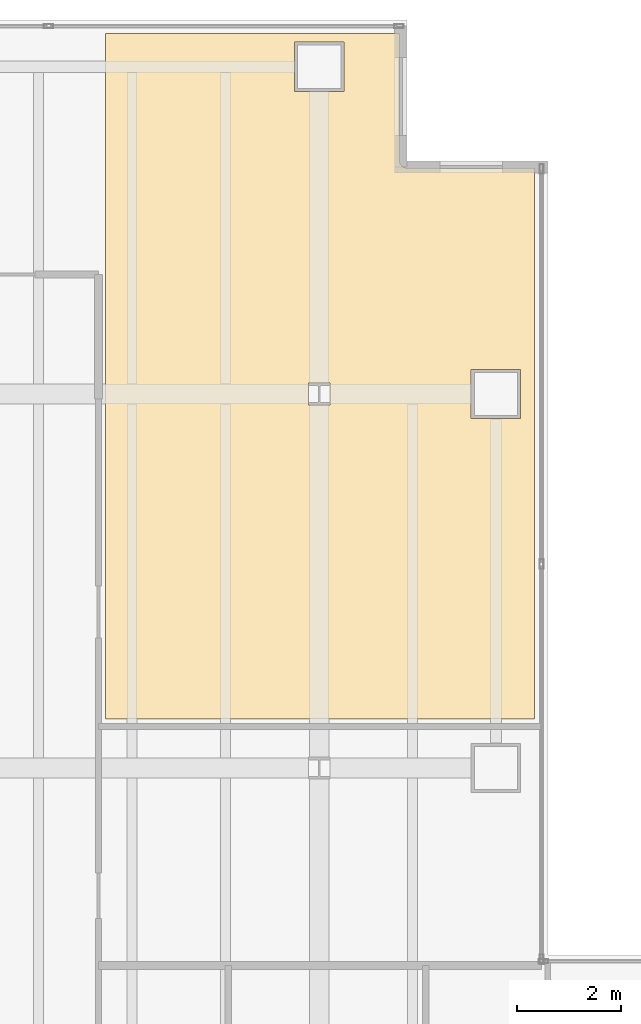
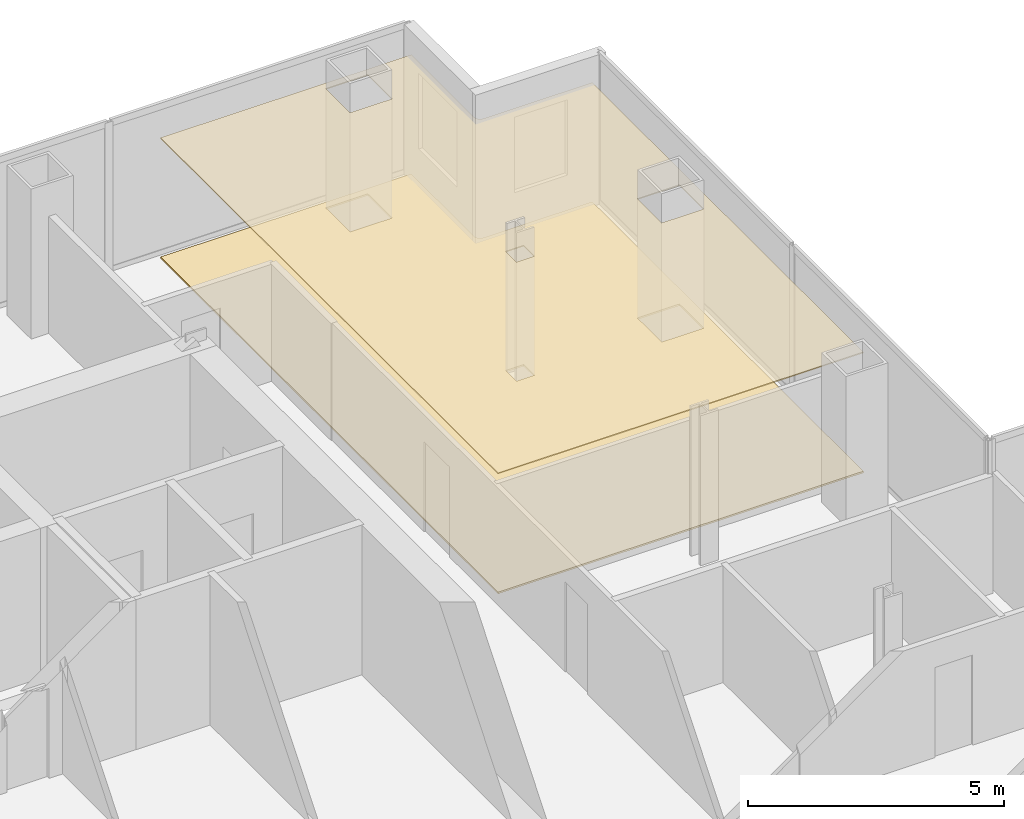
# One storey, part 24 of 24: 2 coverings.
"""IFC4 building model written with IfcOpenShell, lengths in metres."""

import ifcopenshell
import ifcopenshell.guid

model = None  # the IFC model being written
_history = None  # IfcOwnerHistory: only IFC2X3 demands one
_inside = {}  # id of a spatial element -> (the spatial element, [elements in it])
_under = {}  # id of a project, library or spatial element -> (it, [spatial elements below it])
_declared = {}  # id of a project -> (the project, [libraries it declares])
_typed = {}  # id of a type object -> (the type object, [elements of that type])
_made_of = {}  # id of a material, layer set ... -> (it, [elements and type objects made of it])


def new_model(schema):
    """Start an empty IFC model of exactly this schema.

    Asked for "IFC4X3", IfcOpenShell would pick the latest addendum, in which some entities
    have other attributes; the version numbers below select the first issue.
    IFC2X3 requires an IfcOwnerHistory on every rooted entity: one is made here for all.
    """
    global model, _history
    if schema == "IFC4X3":
        model = ifcopenshell.file(schema_version=(4, 3, 0, 0))
    else:
        model = ifcopenshell.file(schema=schema)
    _inside.clear()
    _under.clear()
    _declared.clear()
    _typed.clear()
    _made_of.clear()
    _history = None
    if model.schema == "IFC2X3":
        org = make("IfcOrganization", Name="unknown")
        user = make(
            "IfcPersonAndOrganization",
            ThePerson=make("IfcPerson", FamilyName="unknown"),
            TheOrganization=org,
        )
        app = make(
            "IfcApplication",
            ApplicationDeveloper=org,
            Version="unknown",
            ApplicationFullName="unknown",
            ApplicationIdentifier="unknown",
        )
        _history = make(
            "IfcOwnerHistory",
            OwningUser=user,
            OwningApplication=app,
            ChangeAction="ADDED",
            CreationDate=0,
        )
    return model


def make(cls, **values):
    """One entity of the class cls with the attributes given. An attribute that is None is left unset."""
    return model.create_entity(
        cls, **{name: value for name, value in values.items() if value is not None}
    )


def rooted(cls, **values):
    """An entity with a GlobalId (a new one), such as an element, a storey or a relation."""
    return make(cls, GlobalId=ifcopenshell.guid.new(), OwnerHistory=_history, **values)


def si_unit(unit_type, name, prefix=None):
    """IfcSIUnit, for example si_unit("LENGTHUNIT", "METRE", prefix="MILLI")."""
    return make("IfcSIUnit", UnitType=unit_type, Prefix=prefix, Name=name)


def assignment(units):
    """IfcUnitAssignment: the units of a project."""
    return None if units is None else make("IfcUnitAssignment", Units=units)


def point(xyz):
    """IfcCartesianPoint."""
    return None if xyz is None else make("IfcCartesianPoint", Coordinates=xyz)


def direction(xyz):
    """IfcDirection."""
    return None if xyz is None else make("IfcDirection", DirectionRatios=xyz)


def frame(location, z_axis=None, x_axis=None):
    """IfcAxis2Placement3D, a coordinate frame: its origin and axes. An axis left out is left unset."""
    return make(
        "IfcAxis2Placement3D",
        Location=point(location),
        Axis=direction(z_axis),
        RefDirection=direction(x_axis),
    )


def origin():
    """The frame at (0, 0, 0) with its axes left unset."""
    return frame((0.0, 0.0, 0.0))


def place(relative_to, where):
    """IfcLocalPlacement: puts the frame where relative to a parent placement (None: the world)."""
    return make(
        "IfcLocalPlacement", PlacementRelTo=relative_to, RelativePlacement=where
    )


def context(
    kind, dimensions, precision=None, world=None, true_north=None, identifier=None
):
    """IfcGeometricRepresentationContext, for example the 3D "Model" context."""
    return make(
        "IfcGeometricRepresentationContext",
        ContextIdentifier=identifier,
        ContextType=kind,
        CoordinateSpaceDimension=dimensions,
        Precision=precision,
        WorldCoordinateSystem=world,
        TrueNorth=true_north,
    )


def subcontext(parent, identifier, kind, view, scale=None):
    """IfcGeometricRepresentationSubContext, for example "Body" below "Model"."""
    return make(
        "IfcGeometricRepresentationSubContext",
        ContextIdentifier=identifier,
        ContextType=kind,
        ParentContext=parent,
        TargetScale=scale,
        TargetView=view,
    )


def project(units=None, contexts=None):
    """IfcProject with its units and contexts."""
    return rooted(
        "IfcProject",
        Name="project",
        RepresentationContexts=contexts,
        UnitsInContext=assignment(units),
    )


def spatial(cls, under=None, at=None, **own):
    """A site, building, storey or space (cls), placed at a placement, below another one or the project."""
    s = rooted(cls, ObjectPlacement=at, **own)
    if under is not None:
        _under.setdefault(under.id(), (under, []))[1].append(s)
    return s


def polyline(points):
    """IfcPolyline through the points."""
    return make("IfcPolyline", Points=[point(p) for p in points])


def outline(outer, holes=None, kind="AREA"):
    """IfcArbitraryClosedProfileDef: a profile drawn as a closed curve; with holes, ...WithVoids."""
    if holes is None:
        return make("IfcArbitraryClosedProfileDef", ProfileType=kind, OuterCurve=outer)
    return make(
        "IfcArbitraryProfileDefWithVoids",
        ProfileType=kind,
        OuterCurve=outer,
        InnerCurves=holes,
    )


def extrude(swept, where, along, depth):
    """IfcExtrudedAreaSolid: the profile swept, set in the frame where, extruded along a direction by depth."""
    return make(
        "IfcExtrudedAreaSolid",
        SweptArea=swept,
        Position=where,
        ExtrudedDirection=direction(along),
        Depth=depth,
    )


def shape(context_of_items, identifier, shape_type, items):
    """IfcShapeRepresentation: the items that make up one representation, for example the "Body"."""
    return make(
        "IfcShapeRepresentation",
        ContextOfItems=context_of_items,
        RepresentationIdentifier=identifier,
        RepresentationType=shape_type,
        Items=items,
    )


def material(Name=None, Category=None):
    """IfcMaterial."""
    return make("IfcMaterial", Name=Name, Category=Category)


def layer(
    of_material, thickness, ventilated=None, Name=None, Category=None, Priority=None
):
    """IfcMaterialLayer: one layer of a wall or slab, of a material (None: an air gap)."""
    return make(
        "IfcMaterialLayer",
        Material=of_material,
        LayerThickness=thickness,
        IsVentilated=ventilated,
        Name=Name,
        Category=Category,
        Priority=Priority,
    )


def layer_set(layers, Name=None):
    """IfcMaterialLayerSet."""
    return make("IfcMaterialLayerSet", MaterialLayers=layers, LayerSetName=Name)


def made_of(thing, what):
    """Note that an element or type object is made of a material, layer set ...; save() writes the relation."""
    if what is not None:
        _made_of.setdefault(what.id(), (what, []))[1].append(thing)
    return thing


def type_object(cls, material=None, **own):
    """A type object (cls), such as IfcWallType, which elements share."""
    return made_of(rooted(cls, **own), material)


def element(
    cls,
    number,
    at=None,
    inside=None,
    cuts=None,
    type_object=None,
    material=None,
    context=None,
    identifier="Body",
    shape_type=None,
    held_by="IfcProductDefinitionShape",
    body=None,
    shapes=None,
    **own,
):
    """One element of the class cls, such as IfcWall. Its Tag is "e" and its number.

    at: its placement. inside: the storey or other place that contains it. cuts: it is an
    opening in that element (IfcRelVoidsElement). A single representation is given by context,
    identifier, shape_type and body (its items); several are given by shapes. held_by: the class
    of the entity that holds the representations. save() writes the other relations.
    """
    e = rooted(cls, Tag="e%d" % number, ObjectPlacement=at, **own)
    if body is not None:
        shapes = [shape(context, identifier, shape_type, body)]
    if shapes is not None:
        e.Representation = make(held_by, Representations=shapes)
    if inside is not None:
        _inside.setdefault(inside.id(), (inside, []))[1].append(e)
    if cuts is not None:
        rooted(
            "IfcRelVoidsElement", RelatingBuildingElement=cuts, RelatedOpeningElement=e
        )
    if type_object is not None:
        _typed.setdefault(type_object.id(), (type_object, []))[1].append(e)
    return made_of(e, material)


def aggregate(whole, parts):
    """IfcRelAggregates: a whole, such as a stair, and the parts it consists of."""
    return rooted("IfcRelAggregates", RelatingObject=whole, RelatedObjects=parts)


def save(model, path):
    """Write the relations noted so far, then the file.

    IfcRelAggregates (storeys below a building ...), IfcRelContainedInSpatialStructure (elements
    in a storey), IfcRelDefinesByType, IfcRelAssociatesMaterial and IfcRelDeclares: one each for
    every whole, place, type object, material and project.
    """
    for whole, parts in _under.values():
        aggregate(whole, parts)
    for where, things in _inside.values():
        rooted(
            "IfcRelContainedInSpatialStructure",
            RelatedElements=things,
            RelatingStructure=where,
        )
    for kind, things in _typed.values():
        rooted("IfcRelDefinesByType", RelatedObjects=things, RelatingType=kind)
    for what, things in _made_of.values():
        rooted("IfcRelAssociatesMaterial", RelatedObjects=things, RelatingMaterial=what)
    for by, libraries in _declared.values():
        rooted("IfcRelDeclares", RelatingContext=by, RelatedDefinitions=libraries)
    model.write(path)


model = new_model("IFC4")

# Units and contexts
model_context = context("Model", 3, precision=1e-05, world=origin(), true_north=direction((0.0, 1.0)))
body_context = subcontext(model_context, "Body", "Model", "MODEL_VIEW")
ifc_project = project(units=[si_unit("LENGTHUNIT", "METRE"), si_unit("AREAUNIT", "SQUARE_METRE"), si_unit("VOLUMEUNIT", "CUBIC_METRE"), si_unit("PLANEANGLEUNIT", "RADIAN"), si_unit("MASSUNIT", "GRAM", prefix="KILO")], contexts=[model_context])

# Site, building, storey
site_placement = place(None, origin())
site = spatial("IfcSite", under=ifc_project, at=site_placement, CompositionType="ELEMENT")
building_placement = place(site_placement, origin())
building = spatial("IfcBuilding", under=site, at=building_placement, Name="Cobrela Telecom Tower", CompositionType="ELEMENT")
storey_placement = place(building_placement, frame((0.0, 0.0, 106.050048828125)))
storey = spatial("IfcBuildingStorey", under=building, at=storey_placement, Name="L26", CompositionType="ELEMENT", Elevation=106.050048828125)

# Coverings
ifc_material_1 = material(Name="Mineral Fibre Acoustic Ceiling Tile")
ifc_layer_1 = layer(ifc_material_1, 0.02490234375)
ifc_layer_set_1 = layer_set([ifc_layer_1], Name="Mineral Fibre Acoustic Ceiling Tile")
covering_type_1 = type_object("IfcCoveringType", Name="COV-CEIL-ACT", PredefinedType="CEILING", material=ifc_layer_set_1)
covering_1_placement = place(storey_placement, frame((0.0, 0.0, 2.85986328125)))
element("IfcCovering", 1, at=covering_1_placement, inside=storey, type_object=covering_type_1, Name="L26 Staff Fitness Gym 3 Suspended Acoustic Ceiling", PredefinedType="CEILING", context=body_context, shape_type="SweptSolid", body=[
    extrude(outline(polyline([(23.14990234375, 42.93994140625), (23.14990234375, 40.489013671875), (23.150634765625, 40.476318359375), (23.152587890625, 40.462646484375), (23.156005859375, 40.449462890625), (23.16064453125, 40.436279296875), (23.16650390625, 40.424072265625), (23.173583984375, 40.412109375), (23.181640625, 40.401123046875), (23.19091796875, 40.39111328125), (23.201171875, 40.381591796875), (23.212158203125, 40.37353515625), (23.22412109375, 40.366455078125), (23.236328125, 40.360595703125), (23.24951171875, 40.35595703125), (23.2626953125, 40.3525390625), (23.2763671875, 40.3505859375), (23.2890625, 40.35009765625), (25.739990234375, 40.35009765625), (25.739990234375, 29.739990234375), (17.489990234375, 29.739990234375), (17.489990234375, 42.93994140625), (23.14990234375, 42.93994140625)]), holes=[polyline([(21.804443359375, 35.7880859375), (21.804443359375, 36.2119140625), (21.3955078125, 36.2119140625), (21.3955078125, 35.7880859375), (21.804443359375, 35.7880859375)]), polyline([(25.47509765625, 35.52490234375), (25.47509765625, 36.47509765625), (24.52490234375, 36.47509765625), (24.52490234375, 35.52490234375), (25.47509765625, 35.52490234375)]), polyline([(22.074951171875, 41.824951171875), (22.074951171875, 42.77490234375), (21.125, 42.77490234375), (21.125, 41.824951171875), (22.074951171875, 41.824951171875)])]), origin(), (0.0, 0.0, 1.0), 0.025146484375),
])
ifc_material_2 = material(Name="Honed Colombian Basalt Stone", Category="masonry")
ifc_layer_2 = layer(ifc_material_2, 0.0400390625)
ifc_layer_set_2 = layer_set([ifc_layer_2], Name="Honed Colombian Basalt Stone")
covering_type_2 = type_object("IfcCoveringType", Name="COV-FLR-STONE", PredefinedType="FLOORING", material=ifc_layer_set_2)
covering_2_placement = place(storey_placement, origin())
element("IfcCovering", 2, at=covering_2_placement, inside=storey, type_object=covering_type_2, Name="L26 Staff Fitness Gym 3 Raised Technical Flooring", PredefinedType="FLOORING", context=body_context, shape_type="SweptSolid", body=[
    extrude(outline(polyline([(23.14990234375, 42.93994140625), (23.14990234375, 40.489013671875), (23.150634765625, 40.476318359375), (23.152587890625, 40.462646484375), (23.156005859375, 40.449462890625), (23.16064453125, 40.436279296875), (23.16650390625, 40.424072265625), (23.173583984375, 40.412109375), (23.181640625, 40.401123046875), (23.19091796875, 40.39111328125), (23.201171875, 40.381591796875), (23.212158203125, 40.37353515625), (23.22412109375, 40.366455078125), (23.236328125, 40.360595703125), (23.24951171875, 40.35595703125), (23.2626953125, 40.3525390625), (23.2763671875, 40.3505859375), (23.2890625, 40.35009765625), (25.739990234375, 40.35009765625), (25.739990234375, 29.739990234375), (17.489990234375, 29.739990234375), (17.489990234375, 42.93994140625), (23.14990234375, 42.93994140625)]), holes=[polyline([(21.804443359375, 35.7880859375), (21.804443359375, 36.2119140625), (21.3955078125, 36.2119140625), (21.3955078125, 35.7880859375), (21.804443359375, 35.7880859375)]), polyline([(25.47509765625, 35.52490234375), (25.47509765625, 36.47509765625), (24.52490234375, 36.47509765625), (24.52490234375, 35.52490234375), (25.47509765625, 35.52490234375)]), polyline([(22.074951171875, 41.824951171875), (22.074951171875, 42.77490234375), (21.125, 42.77490234375), (21.125, 41.824951171875), (22.074951171875, 41.824951171875)])]), origin(), (0.0, 0.0, 1.0), 0.0400390625),
])

save(model, "model.ifc")
